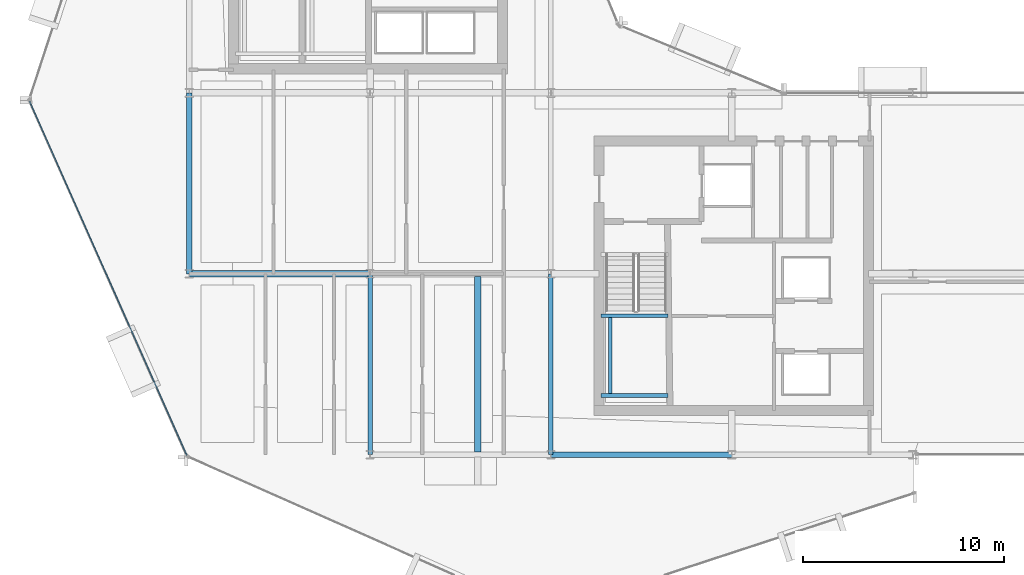
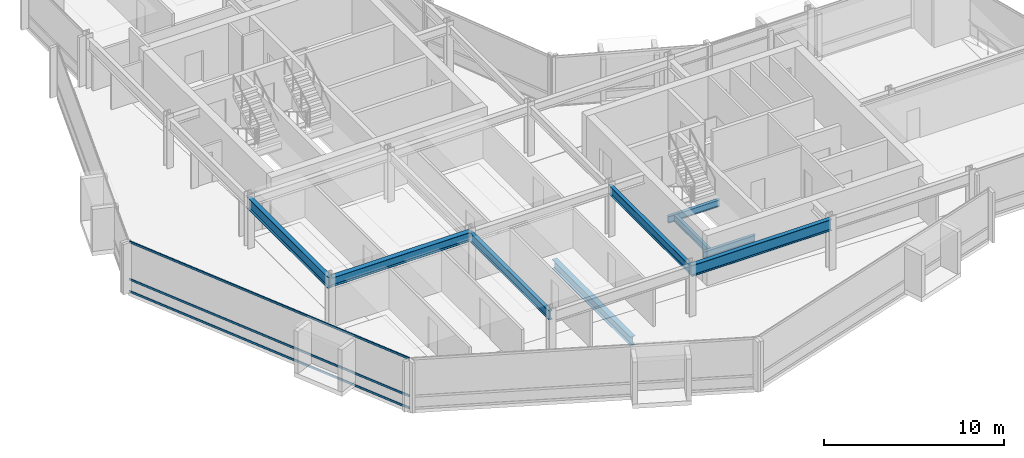
# One storey, part 5 of 28: 9 beams, 3 members, 1 element without a shape of its own.
"""IFC4 building model written with IfcOpenShell, lengths in metres."""

from ifc_helpers import new_model, si_unit, direction, frame, origin, origin_2d, place, context, subcontext, project, spatial, hollow_rectangle, i_section, extrude, material, layer, layer_set, material_profile, profile_set, type_object, element, aggregate, save


model = new_model("IFC4")

# Units and contexts
model_context = context("Model", 3, precision=1e-05, world=origin(), true_north=direction((0.0, 1.0)))
body_context = subcontext(model_context, "Body", "Model", "MODEL_VIEW")
ifc_project = project(units=[si_unit("LENGTHUNIT", "METRE"), si_unit("AREAUNIT", "SQUARE_METRE"), si_unit("VOLUMEUNIT", "CUBIC_METRE"), si_unit("PLANEANGLEUNIT", "RADIAN"), si_unit("MASSUNIT", "GRAM", prefix="KILO")], contexts=[model_context])

# Site, building, storey
site_placement = place(None, origin())
site = spatial("IfcSite", under=ifc_project, at=site_placement, CompositionType="ELEMENT")
building_placement = place(site_placement, origin())
building = spatial("IfcBuilding", under=site, at=building_placement, Name="Solvaryn Broadcast Tower", CompositionType="ELEMENT")
storey_placement = place(building_placement, frame((0.0, 0.0, 150.699951171875)))
storey = spatial("IfcBuildingStorey", under=building, at=storey_placement, Name="L37", CompositionType="ELEMENT", Elevation=150.699951171875)

# Beams
ifc_material_1 = material(Name="Steel ASTM A992 Grade 50", Category="steel")
ifc_material_profile_1 = material_profile(ifc_material_1, i_section(OverallWidth=0.323974609375, OverallDepth=0.611083984375, WebThickness=0.0126953125, FlangeThickness=0.01904296875, FilletRadius=0.014892578125, at=origin_2d()))
ifc_profile_set_1 = profile_set([ifc_material_profile_1], Name="Steel ASTM A992 Grade 50")
beam_type_1 = type_object("IfcBeamType", Name="BM-B1-W24X104", PredefinedType="BEAM", material=ifc_profile_set_1)
beam_1_placement = place(storey_placement, frame((23.35009765625, 17.875, -0.58544921875), z_axis=(0.0, -1.0, 0.0), x_axis=(1.0, 0.0, 0.0)))
element("IfcBeam", 1, at=beam_1_placement, inside=storey, type_object=beam_type_1, Name="L37 Bay-Box Back-Span Beam 1", PredefinedType="BEAM", context=body_context, shape_type="SweptSolid", body=[
    extrude(i_section(OverallWidth=0.323974609375, OverallDepth=0.611083984375, WebThickness=0.0126953125, FlangeThickness=0.01904296875, FilletRadius=0.014892578125, at=origin_2d()), origin(), (0.0, 0.0, 1.0), 8.75),
])
beam_2_placement = place(storey_placement, frame((9.0, 18.0, 3.114501953125), z_axis=(1.0, 0.0, 0.0), x_axis=(0.0, 1.0, 0.0)))
element("IfcBeam", 2, at=beam_2_placement, inside=storey, type_object=beam_type_1, Name="L37 Primary Beam X (9-18 @ Y=18)", PredefinedType="BEAM", context=body_context, shape_type="SweptSolid", body=[
    extrude(i_section(OverallWidth=0.323974609375, OverallDepth=0.611083984375, WebThickness=0.0126953125, FlangeThickness=0.01904296875, FilletRadius=0.014892578125, at=origin_2d()), origin(), (0.0, 0.0, 1.0), 9.0),
])
ifc_material_2 = material(Name="Steel ASTM A992 Grade 50", Category="steel")
ifc_material_profile_2 = material_profile(ifc_material_2, i_section(OverallWidth=0.22802734375, OverallDepth=0.60791015625, WebThickness=0.01123046875, FlangeThickness=0.017333984375, FilletRadius=0.014892578125, at=origin_2d()))
ifc_profile_set_2 = profile_set([ifc_material_profile_2], Name="Steel ASTM A992 Grade 50")
beam_type_2 = type_object("IfcBeamType", Name="BM-B2-W24X76", PredefinedType="BEAM", material=ifc_profile_set_2)
for number, where, z_axis, x_axis, name in (
    (3, (18.0, 9.0, 3.115966796875), (0.0, 1.0, 0.0), (-1.0, 0.0, 0.0), "L37 Primary Beam Y (9-18 @ X=18)"),
    (4, (27.0, 9.0, 3.115966796875), (0.0, 1.0, 0.0), (-1.0, 0.0, 0.0), "L37 Primary Beam Y (9-18 @ X=27)"),
):
    element("IfcBeam", number, at=place(storey_placement, frame(where, z_axis=z_axis, x_axis=x_axis)), inside=storey, type_object=beam_type_2, Name=name, PredefinedType="BEAM", context=body_context, shape_type="SweptSolid", body=[
        extrude(i_section(OverallWidth=0.22802734375, OverallDepth=0.60791015625, WebThickness=0.01123046875, FlangeThickness=0.017333984375, FilletRadius=0.014892578125, at=origin_2d()), origin(), (0.0, 0.0, 1.0), 9.0),
    ])
ifc_material_3 = material(Name="Steel ASTM A992 Grade 50", Category="steel")
ifc_material_profile_3 = material_profile(ifc_material_3, i_section(OverallWidth=0.18994140625, OverallDepth=0.45703125, WebThickness=0.009033203125, FlangeThickness=0.014404296875, FilletRadius=0.011962890625, at=origin_2d()))
ifc_profile_set_3 = profile_set([ifc_material_profile_3], Name="Steel ASTM A992 Grade 50")
beam_type_3 = type_object("IfcBeamType", Name="BM-B4-W18X50", PredefinedType="BEAM", material=ifc_profile_set_3)
for number, where, z_axis, x_axis, name in (
    (5, (29.5, 11.949951171875, 1.421630859375), (1.0, 0.0, 0.0), (0.0, 1.0, 0.0), "L37 ST3 Landing Support Beam 1A"),
    (6, (29.5, 15.909912109375, 1.421630859375), (1.0, 0.0, 0.0), (0.0, 1.0, 0.0), "L37 ST3 Landing Support Beam 1B"),
):
    element("IfcBeam", number, at=place(storey_placement, frame(where, z_axis=z_axis, x_axis=x_axis)), inside=storey, type_object=beam_type_3, Name=name, PredefinedType="BEAM", context=body_context, shape_type="SweptSolid", body=[
        extrude(i_section(OverallWidth=0.18994140625, OverallDepth=0.45703125, WebThickness=0.009033203125, FlangeThickness=0.014404296875, FilletRadius=0.011962890625, at=origin_2d()), origin(), (0.0, 0.0, 1.0), 3.320068359375),
    ])
beam_3_placement = place(storey_placement, frame((29.949951171875, 11.949951171875, 1.421630859375), z_axis=(0.0, 1.0, 0.0), x_axis=(-1.0, 0.0, 0.0)))
element("IfcBeam", 7, at=beam_3_placement, inside=storey, type_object=beam_type_3, Name="L37 ST3 Landing Cross Stringer 1C", PredefinedType="BEAM", context=body_context, shape_type="SweptSolid", body=[
    extrude(i_section(OverallWidth=0.18994140625, OverallDepth=0.45703125, WebThickness=0.009033203125, FlangeThickness=0.014404296875, FilletRadius=0.011962890625, at=origin_2d()), origin(), (0.0, 0.0, 1.0), 3.9599609375),
])
ifc_material_4 = material(Name="Steel ASTM A992 Grade 50", Category="steel")
ifc_material_profile_4 = material_profile(ifc_material_4, i_section(OverallWidth=0.26708984375, OverallDepth=0.76611328125, WebThickness=0.014892578125, FlangeThickness=0.023681640625, FilletRadius=0.01806640625, at=origin_2d()))
ifc_profile_set_4 = profile_set([ifc_material_profile_4], Name="Steel ASTM A992 Grade 50")
beam_type_4 = type_object("IfcBeamType", Name="BM-SP2-W30X124", PredefinedType="USERDEFINED", material=ifc_profile_set_4)
for number, where, z_axis, x_axis, name in (
    (8, (27.0, 9.0, 3.037109375), (1.0, 0.0, 0.0), (0.0, 1.0, 0.0), "L37 Spandrel Beam X (27-36 @ Y=9)"),
    (9, (9.0, 18.0, 3.037109375), (0.0, 1.0, 0.0), (-1.0, 0.0, 0.0), "L37 Spandrel Beam Y (18-27 @ X=9)"),
):
    element("IfcBeam", number, at=place(storey_placement, frame(where, z_axis=z_axis, x_axis=x_axis)), inside=storey, type_object=beam_type_4, Name=name, ObjectType="SPANDREL", PredefinedType="USERDEFINED", context=body_context, shape_type="SweptSolid", body=[
        extrude(i_section(OverallWidth=0.26708984375, OverallDepth=0.76611328125, WebThickness=0.014892578125, FlangeThickness=0.023681640625, FilletRadius=0.01806640625, at=origin_2d()), origin(), (0.0, 0.0, 1.0), 9.0),
    ])

# Curtain wall, members
ifc_material_5 = material(Name="Aluminium and Terracotta Unitised Curtain Wall", Category="masonry")
ifc_layer = layer(ifc_material_5, 0.239990234375)
ifc_layer_set = layer_set([ifc_layer], Name="CW-SYS3-BAYBOX")
curtain_wall_type = type_object("IfcCurtainWallType", Name="CW-SYS3-BAYBOX", PredefinedType="NOTDEFINED", material=ifc_layer_set)
curtain_wall_placement = place(storey_placement, origin())
curtain_wall = element("IfcCurtainWall", 10, at=curtain_wall_placement, inside=storey, type_object=curtain_wall_type, Name="L37 Curtain Wall DR2", PredefinedType="NOTDEFINED")
ifc_material_6 = material(Name="Anodised Aluminium 6063-T6", Category="aluminium")
ifc_material_profile_5 = material_profile(ifc_material_6, hollow_rectangle(XDim=0.06494140625, YDim=0.14990234375, WallThickness=0.00390625, InnerFilletRadius=0.00390625, OuterFilletRadius=0.008056640625, at=origin_2d()))
ifc_profile_set_5 = profile_set([ifc_material_profile_5], Name="Anodised Aluminium 6063-T6")
member_type = type_object("IfcMemberType", Name="CW-TRN-150", PredefinedType="USERDEFINED", material=ifc_profile_set_5)
member_1_placement = place(storey_placement, frame((1.058349609375, 26.5810546875, 0.030029296875), z_axis=(0.405917546252, -0.913909703223, 0.0), x_axis=(0.913909703223, 0.405917546252, 0.0)))
member_1 = element("IfcMember", 11, at=member_1_placement, type_object=member_type, Name="CWS3 transom 1.1", ObjectType="TRANSOM", PredefinedType="USERDEFINED", context=body_context, shape_type="SweptSolid", body=[
    extrude(hollow_rectangle(XDim=0.06494140625, YDim=0.14990234375, WallThickness=0.00390625, InnerFilletRadius=0.00390625, OuterFilletRadius=0.008056640625, at=origin_2d()), origin(), (0.0, 0.0, 1.0), 19.27783203125),
])
member_2_placement = place(storey_placement, frame((1.058349609375, 26.5810546875, 0.85009765625), z_axis=(0.405917546252, -0.913909703223, 0.0), x_axis=(0.913909703223, 0.405917546252, 0.0)))
member_2 = element("IfcMember", 12, at=member_2_placement, type_object=member_type, Name="CWS3 transom 1.2", ObjectType="TRANSOM", PredefinedType="USERDEFINED", context=body_context, shape_type="SweptSolid", body=[
    extrude(hollow_rectangle(XDim=0.06494140625, YDim=0.14990234375, WallThickness=0.00390625, InnerFilletRadius=0.00390625, OuterFilletRadius=0.008056640625, at=origin_2d()), origin(), (0.0, 0.0, 1.0), 19.27783203125),
])
member_3_placement = place(storey_placement, frame((1.058349609375, 26.5810546875, 3.39013671875), z_axis=(0.405917546252, -0.913909703223, 0.0), x_axis=(0.913909703223, 0.405917546252, 0.0)))
member_3 = element("IfcMember", 13, at=member_3_placement, type_object=member_type, Name="CWS3 transom 1.3", ObjectType="TRANSOM", PredefinedType="USERDEFINED", context=body_context, shape_type="SweptSolid", body=[
    extrude(hollow_rectangle(XDim=0.06494140625, YDim=0.14990234375, WallThickness=0.00390625, InnerFilletRadius=0.00390625, OuterFilletRadius=0.008056640625, at=origin_2d()), origin(), (0.0, 0.0, 1.0), 19.27783203125),
])
aggregate(curtain_wall, [member_1, member_2, member_3])

save(model, "model.ifc")
